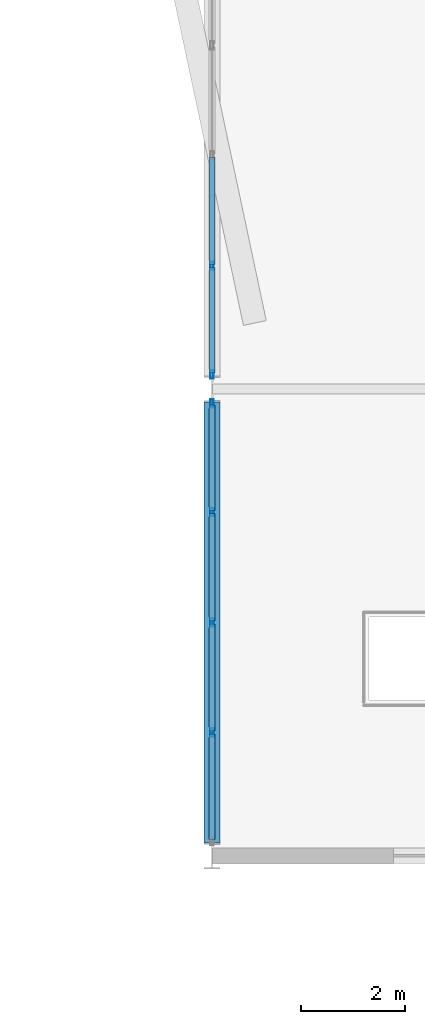
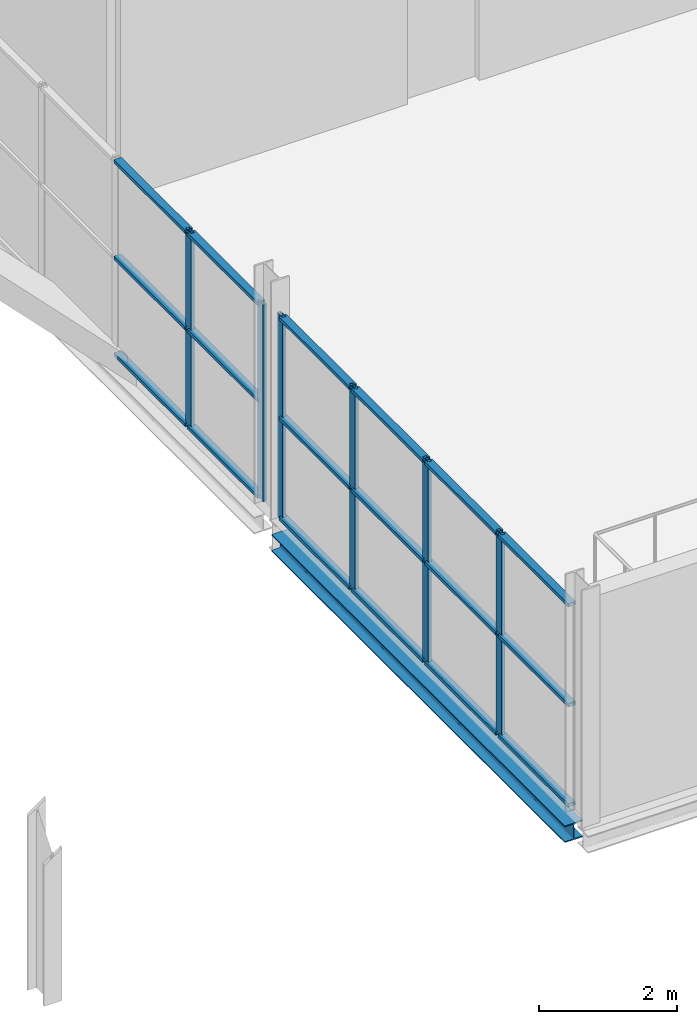
# One storey, part 60 of 140: 24 members, 1 beam, 2 elements without a shape of their own.
"""IFC4 building model written with IfcOpenShell, lengths in metres."""

import ifcopenshell
import ifcopenshell.guid

model = None  # the IFC model being written
_history = None  # IfcOwnerHistory: only IFC2X3 demands one
_inside = {}  # id of a spatial element -> (the spatial element, [elements in it])
_under = {}  # id of a project, library or spatial element -> (it, [spatial elements below it])
_declared = {}  # id of a project -> (the project, [libraries it declares])
_typed = {}  # id of a type object -> (the type object, [elements of that type])
_made_of = {}  # id of a material, layer set ... -> (it, [elements and type objects made of it])


def new_model(schema):
    """Start an empty IFC model of exactly this schema.

    Asked for "IFC4X3", IfcOpenShell would pick the latest addendum, in which some entities
    have other attributes; the version numbers below select the first issue.
    IFC2X3 requires an IfcOwnerHistory on every rooted entity: one is made here for all.
    """
    global model, _history
    if schema == "IFC4X3":
        model = ifcopenshell.file(schema_version=(4, 3, 0, 0))
    else:
        model = ifcopenshell.file(schema=schema)
    _inside.clear()
    _under.clear()
    _declared.clear()
    _typed.clear()
    _made_of.clear()
    _history = None
    if model.schema == "IFC2X3":
        org = make("IfcOrganization", Name="unknown")
        user = make(
            "IfcPersonAndOrganization",
            ThePerson=make("IfcPerson", FamilyName="unknown"),
            TheOrganization=org,
        )
        app = make(
            "IfcApplication",
            ApplicationDeveloper=org,
            Version="unknown",
            ApplicationFullName="unknown",
            ApplicationIdentifier="unknown",
        )
        _history = make(
            "IfcOwnerHistory",
            OwningUser=user,
            OwningApplication=app,
            ChangeAction="ADDED",
            CreationDate=0,
        )
    return model


def make(cls, **values):
    """One entity of the class cls with the attributes given. An attribute that is None is left unset."""
    return model.create_entity(
        cls, **{name: value for name, value in values.items() if value is not None}
    )


def rooted(cls, **values):
    """An entity with a GlobalId (a new one), such as an element, a storey or a relation."""
    return make(cls, GlobalId=ifcopenshell.guid.new(), OwnerHistory=_history, **values)


def si_unit(unit_type, name, prefix=None):
    """IfcSIUnit, for example si_unit("LENGTHUNIT", "METRE", prefix="MILLI")."""
    return make("IfcSIUnit", UnitType=unit_type, Prefix=prefix, Name=name)


def assignment(units):
    """IfcUnitAssignment: the units of a project."""
    return None if units is None else make("IfcUnitAssignment", Units=units)


def point(xyz):
    """IfcCartesianPoint."""
    return None if xyz is None else make("IfcCartesianPoint", Coordinates=xyz)


def direction(xyz):
    """IfcDirection."""
    return None if xyz is None else make("IfcDirection", DirectionRatios=xyz)


def frame(location, z_axis=None, x_axis=None):
    """IfcAxis2Placement3D, a coordinate frame: its origin and axes. An axis left out is left unset."""
    return make(
        "IfcAxis2Placement3D",
        Location=point(location),
        Axis=direction(z_axis),
        RefDirection=direction(x_axis),
    )


def frame_2d(location, x_axis=None):
    """IfcAxis2Placement2D, a coordinate frame in the plane: its origin and x axis."""
    return make(
        "IfcAxis2Placement2D", Location=point(location), RefDirection=direction(x_axis)
    )


def origin():
    """The frame at (0, 0, 0) with its axes left unset."""
    return frame((0.0, 0.0, 0.0))


def origin_2d():
    """The frame at (0, 0) in the plane with its x axis left unset."""
    return frame_2d((0.0, 0.0))


def place(relative_to, where):
    """IfcLocalPlacement: puts the frame where relative to a parent placement (None: the world)."""
    return make(
        "IfcLocalPlacement", PlacementRelTo=relative_to, RelativePlacement=where
    )


def context(
    kind, dimensions, precision=None, world=None, true_north=None, identifier=None
):
    """IfcGeometricRepresentationContext, for example the 3D "Model" context."""
    return make(
        "IfcGeometricRepresentationContext",
        ContextIdentifier=identifier,
        ContextType=kind,
        CoordinateSpaceDimension=dimensions,
        Precision=precision,
        WorldCoordinateSystem=world,
        TrueNorth=true_north,
    )


def subcontext(parent, identifier, kind, view, scale=None):
    """IfcGeometricRepresentationSubContext, for example "Body" below "Model"."""
    return make(
        "IfcGeometricRepresentationSubContext",
        ContextIdentifier=identifier,
        ContextType=kind,
        ParentContext=parent,
        TargetScale=scale,
        TargetView=view,
    )


def project(units=None, contexts=None):
    """IfcProject with its units and contexts."""
    return rooted(
        "IfcProject",
        Name="project",
        RepresentationContexts=contexts,
        UnitsInContext=assignment(units),
    )


def spatial(cls, under=None, at=None, **own):
    """A site, building, storey or space (cls), placed at a placement, below another one or the project."""
    s = rooted(cls, ObjectPlacement=at, **own)
    if under is not None:
        _under.setdefault(under.id(), (under, []))[1].append(s)
    return s


def profile(cls, at=None, kind="AREA", **sizes):
    """A parametric profile (cls). Its sizes go by their IFC names, for example OverallWidth=200.0."""
    return make(cls, ProfileType=kind, Position=at, **sizes)


def hollow_rectangle(**sizes):
    """IfcRectangleHollowProfileDef."""
    return profile("IfcRectangleHollowProfileDef", **sizes)


def i_section(**sizes):
    """IfcIShapeProfileDef."""
    return profile("IfcIShapeProfileDef", **sizes)


def extrude(swept, where, along, depth):
    """IfcExtrudedAreaSolid: the profile swept, set in the frame where, extruded along a direction by depth."""
    return make(
        "IfcExtrudedAreaSolid",
        SweptArea=swept,
        Position=where,
        ExtrudedDirection=direction(along),
        Depth=depth,
    )


def shape(context_of_items, identifier, shape_type, items):
    """IfcShapeRepresentation: the items that make up one representation, for example the "Body"."""
    return make(
        "IfcShapeRepresentation",
        ContextOfItems=context_of_items,
        RepresentationIdentifier=identifier,
        RepresentationType=shape_type,
        Items=items,
    )


def material(Name=None, Category=None):
    """IfcMaterial."""
    return make("IfcMaterial", Name=Name, Category=Category)


def layer(
    of_material, thickness, ventilated=None, Name=None, Category=None, Priority=None
):
    """IfcMaterialLayer: one layer of a wall or slab, of a material (None: an air gap)."""
    return make(
        "IfcMaterialLayer",
        Material=of_material,
        LayerThickness=thickness,
        IsVentilated=ventilated,
        Name=Name,
        Category=Category,
        Priority=Priority,
    )


def layer_set(layers, Name=None):
    """IfcMaterialLayerSet."""
    return make("IfcMaterialLayerSet", MaterialLayers=layers, LayerSetName=Name)


def material_profile(
    of_material, cross_section, Name=None, Category=None, Priority=None
):
    """IfcMaterialProfile: a cross section and its material."""
    return make(
        "IfcMaterialProfile",
        Name=Name,
        Material=of_material,
        Profile=cross_section,
        Priority=Priority,
        Category=Category,
    )


def profile_set(profiles, Name=None, composite=None):
    """IfcMaterialProfileSet."""
    return make(
        "IfcMaterialProfileSet",
        Name=Name,
        MaterialProfiles=profiles,
        CompositeProfile=composite,
    )


def made_of(thing, what):
    """Note that an element or type object is made of a material, layer set ...; save() writes the relation."""
    if what is not None:
        _made_of.setdefault(what.id(), (what, []))[1].append(thing)
    return thing


def type_object(cls, material=None, **own):
    """A type object (cls), such as IfcWallType, which elements share."""
    return made_of(rooted(cls, **own), material)


def element(
    cls,
    number,
    at=None,
    inside=None,
    cuts=None,
    type_object=None,
    material=None,
    context=None,
    identifier="Body",
    shape_type=None,
    held_by="IfcProductDefinitionShape",
    body=None,
    shapes=None,
    **own,
):
    """One element of the class cls, such as IfcWall. Its Tag is "e" and its number.

    at: its placement. inside: the storey or other place that contains it. cuts: it is an
    opening in that element (IfcRelVoidsElement). A single representation is given by context,
    identifier, shape_type and body (its items); several are given by shapes. held_by: the class
    of the entity that holds the representations. save() writes the other relations.
    """
    e = rooted(cls, Tag="e%d" % number, ObjectPlacement=at, **own)
    if body is not None:
        shapes = [shape(context, identifier, shape_type, body)]
    if shapes is not None:
        e.Representation = make(held_by, Representations=shapes)
    if inside is not None:
        _inside.setdefault(inside.id(), (inside, []))[1].append(e)
    if cuts is not None:
        rooted(
            "IfcRelVoidsElement", RelatingBuildingElement=cuts, RelatedOpeningElement=e
        )
    if type_object is not None:
        _typed.setdefault(type_object.id(), (type_object, []))[1].append(e)
    return made_of(e, material)


def aggregate(whole, parts):
    """IfcRelAggregates: a whole, such as a stair, and the parts it consists of."""
    return rooted("IfcRelAggregates", RelatingObject=whole, RelatedObjects=parts)


def save(model, path):
    """Write the relations noted so far, then the file.

    IfcRelAggregates (storeys below a building ...), IfcRelContainedInSpatialStructure (elements
    in a storey), IfcRelDefinesByType, IfcRelAssociatesMaterial and IfcRelDeclares: one each for
    every whole, place, type object, material and project.
    """
    for whole, parts in _under.values():
        aggregate(whole, parts)
    for where, things in _inside.values():
        rooted(
            "IfcRelContainedInSpatialStructure",
            RelatedElements=things,
            RelatingStructure=where,
        )
    for kind, things in _typed.values():
        rooted("IfcRelDefinesByType", RelatedObjects=things, RelatingType=kind)
    for what, things in _made_of.values():
        rooted("IfcRelAssociatesMaterial", RelatedObjects=things, RelatingMaterial=what)
    for by, libraries in _declared.values():
        rooted("IfcRelDeclares", RelatingContext=by, RelatedDefinitions=libraries)
    model.write(path)


model = new_model("IFC4")

# Units and contexts
model_context = context("Model", 3, precision=1e-05, world=origin(), true_north=direction((0.0, 1.0)))
body_context = subcontext(model_context, "Body", "Model", "MODEL_VIEW")
ifc_project = project(units=[si_unit("LENGTHUNIT", "METRE"), si_unit("AREAUNIT", "SQUARE_METRE"), si_unit("VOLUMEUNIT", "CUBIC_METRE"), si_unit("PLANEANGLEUNIT", "RADIAN"), si_unit("MASSUNIT", "GRAM", prefix="KILO")], contexts=[model_context])

# Site, building, storey
site_placement = place(None, origin())
site = spatial("IfcSite", under=ifc_project, at=site_placement, CompositionType="ELEMENT")
building_placement = place(site_placement, origin())
building = spatial("IfcBuilding", under=site, at=building_placement, Name="Deido Ridge Mobility Hub", CompositionType="ELEMENT")
storey_placement = place(building_placement, origin())
storey = spatial("IfcBuildingStorey", under=building, at=storey_placement, Name="L00", CompositionType="ELEMENT", Elevation=0.0)

# Curtain wall, members
ifc_material_1 = material(Name="Anodised aluminium EN AW-6063 T6", Category="aluminium")
ifc_layer = layer(ifc_material_1, 0.1650390625, Name="Anodised aluminium EN AW-6063 T6")
ifc_layer_set = layer_set([ifc_layer], Name="Anodised aluminium EN AW-6063 T6")
curtain_wall_type = type_object("IfcCurtainWallType", Name="CW-UF-1", PredefinedType="USERDEFINED", material=ifc_layer_set)
curtain_wall_1_placement = place(storey_placement, origin())
curtain_wall_1 = element("IfcCurtainWall", 1, at=curtain_wall_1_placement, inside=storey, type_object=curtain_wall_type, Name="Unitised curtain wall CW1", ObjectType="UNITISED FACADE", PredefinedType="USERDEFINED")
ifc_material_profile_1 = material_profile(ifc_material_1, hollow_rectangle(XDim=0.06005859375, YDim=0.159912109375, WallThickness=0.00390625, at=origin_2d()), Name="RHS 60x160x4")
ifc_profile_set_1 = profile_set([ifc_material_profile_1], Name="Anodised aluminium EN AW-6063 T6")
member_type_1 = type_object("IfcMemberType", Name="MEM-MUL-60X160", PredefinedType="MULLION", material=ifc_profile_set_1)
member_1_placement = place(storey_placement, frame((72.0, 47.375, 0.0), z_axis=(0.0, 0.0, 1.0), x_axis=(-1.0, 0.0, 0.0)))
member_1 = element("IfcMember", 2, at=member_1_placement, type_object=member_type_1, Name="CW1 mullion 2", PredefinedType="MULLION", context=body_context, shape_type="SweptSolid", body=[
    extrude(hollow_rectangle(XDim=0.06005859375, YDim=0.159912109375, WallThickness=0.00390625, at=origin_2d()), origin(), (0.0, 0.0, 1.0), 3.60009765625),
])
member_2_placement = place(storey_placement, frame((72.0, 49.5, 0.0), z_axis=(0.0, 0.0, 1.0), x_axis=(-1.0, 0.0, 0.0)))
member_2 = element("IfcMember", 3, at=member_2_placement, type_object=member_type_1, Name="CW1 mullion 3", PredefinedType="MULLION", context=body_context, shape_type="SweptSolid", body=[
    extrude(hollow_rectangle(XDim=0.06005859375, YDim=0.159912109375, WallThickness=0.00390625, at=origin_2d()), origin(), (0.0, 0.0, 1.0), 3.60009765625),
])
member_3_placement = place(storey_placement, frame((72.0, 51.625, 0.0), z_axis=(0.0, 0.0, 1.0), x_axis=(-1.0, 0.0, 0.0)))
member_3 = element("IfcMember", 4, at=member_3_placement, type_object=member_type_1, Name="CW1 mullion 4", PredefinedType="MULLION", context=body_context, shape_type="SweptSolid", body=[
    extrude(hollow_rectangle(XDim=0.06005859375, YDim=0.159912109375, WallThickness=0.00390625, at=origin_2d()), origin(), (0.0, 0.0, 1.0), 3.60009765625),
])
member_4_placement = place(storey_placement, frame((72.0, 53.719970703125, 0.0), z_axis=(0.0, 0.0, 1.0), x_axis=(-1.0, 0.0, 0.0)))
member_4 = element("IfcMember", 5, at=member_4_placement, type_object=member_type_1, Name="CW1 mullion 5", PredefinedType="MULLION", context=body_context, shape_type="SweptSolid", body=[
    extrude(hollow_rectangle(XDim=0.06005859375, YDim=0.159912109375, WallThickness=0.00390625, at=origin_2d()), origin(), (0.0, 0.0, 1.0), 3.60009765625),
])

curtain_wall_2_placement = place(storey_placement, origin())
curtain_wall_2 = element("IfcCurtainWall", 6, at=curtain_wall_2_placement, inside=storey, type_object=curtain_wall_type, Name="Unitised curtain wall CW1", ObjectType="UNITISED FACADE", PredefinedType="USERDEFINED")
member_5_placement = place(storey_placement, frame((72.0, 54.280029296875, 0.0), z_axis=(0.0, 0.0, 1.0), x_axis=(-1.0, 0.0, 0.0)))
member_5 = element("IfcMember", 7, at=member_5_placement, type_object=member_type_1, Name="CW1 mullion 1", PredefinedType="MULLION", context=body_context, shape_type="SweptSolid", body=[
    extrude(hollow_rectangle(XDim=0.06005859375, YDim=0.159912109375, WallThickness=0.00390625, at=origin_2d()), origin(), (0.0, 0.0, 1.0), 3.47509765625),
])
member_6_placement = place(storey_placement, frame((72.0, 56.375, 0.0), z_axis=(0.0, 0.0, 1.0), x_axis=(-1.0, 0.0, 0.0)))
member_6 = element("IfcMember", 8, at=member_6_placement, type_object=member_type_1, Name="CW1 mullion 2", PredefinedType="MULLION", context=body_context, shape_type="SweptSolid", body=[
    extrude(hollow_rectangle(XDim=0.06005859375, YDim=0.159912109375, WallThickness=0.00390625, at=origin_2d()), origin(), (0.0, 0.0, 1.0), 3.47509765625),
])

# Member
ifc_material_profile_2 = material_profile(ifc_material_1, hollow_rectangle(XDim=0.125, YDim=0.06005859375, WallThickness=0.00390625, at=origin_2d()), Name="RHS 125x60x4")
ifc_profile_set_2 = profile_set([ifc_material_profile_2], Name="Anodised aluminium EN AW-6063 T6")
member_type_2 = type_object("IfcMemberType", Name="MEM-TRN-125X60", PredefinedType="USERDEFINED", material=ifc_profile_set_2)
member_7_placement = place(storey_placement, frame((72.0, 45.31005859375, 0.030029296875), z_axis=(0.0, 1.0, 0.0), x_axis=(-1.0, 0.0, 0.0)))
member_7 = element("IfcMember", 9, at=member_7_placement, type_object=member_type_2, Name="CW1 transom 1.1", ObjectType="TRANSOM", PredefinedType="USERDEFINED", context=body_context, shape_type="SweptSolid", body=[
    extrude(hollow_rectangle(XDim=0.125, YDim=0.06005859375, WallThickness=0.00390625, at=origin_2d()), origin(), (0.0, 0.0, 1.0), 2.034912109375),
])

member_8_placement = place(storey_placement, frame((72.0, 45.31005859375, 1.800048828125), z_axis=(0.0, 1.0, 0.0), x_axis=(-1.0, 0.0, 0.0)))
member_8 = element("IfcMember", 10, at=member_8_placement, type_object=member_type_2, Name="CW1 transom 1.2", ObjectType="TRANSOM", PredefinedType="USERDEFINED", context=body_context, shape_type="SweptSolid", body=[
    extrude(hollow_rectangle(XDim=0.125, YDim=0.06005859375, WallThickness=0.00390625, at=origin_2d()), origin(), (0.0, 0.0, 1.0), 2.034912109375),
])

member_9_placement = place(storey_placement, frame((72.0, 45.31005859375, 3.570068359375), z_axis=(0.0, 1.0, 0.0), x_axis=(-1.0, 0.0, 0.0)))
member_9 = element("IfcMember", 11, at=member_9_placement, type_object=member_type_2, Name="CW1 transom 1.3", ObjectType="TRANSOM", PredefinedType="USERDEFINED", context=body_context, shape_type="SweptSolid", body=[
    extrude(hollow_rectangle(XDim=0.125, YDim=0.06005859375, WallThickness=0.00390625, at=origin_2d()), origin(), (0.0, 0.0, 1.0), 2.034912109375),
])

member_10_placement = place(storey_placement, frame((72.0, 47.405029296875, 0.030029296875), z_axis=(0.0, 1.0, 0.0), x_axis=(-1.0, 0.0, 0.0)))
member_10 = element("IfcMember", 12, at=member_10_placement, type_object=member_type_2, Name="CW1 transom 2.1", ObjectType="TRANSOM", PredefinedType="USERDEFINED", context=body_context, shape_type="SweptSolid", body=[
    extrude(hollow_rectangle(XDim=0.125, YDim=0.06005859375, WallThickness=0.00390625, at=origin_2d()), origin(), (0.0, 0.0, 1.0), 2.06494140625),
])

member_11_placement = place(storey_placement, frame((72.0, 47.405029296875, 1.800048828125), z_axis=(0.0, 1.0, 0.0), x_axis=(-1.0, 0.0, 0.0)))
member_11 = element("IfcMember", 13, at=member_11_placement, type_object=member_type_2, Name="CW1 transom 2.2", ObjectType="TRANSOM", PredefinedType="USERDEFINED", context=body_context, shape_type="SweptSolid", body=[
    extrude(hollow_rectangle(XDim=0.125, YDim=0.06005859375, WallThickness=0.00390625, at=origin_2d()), origin(), (0.0, 0.0, 1.0), 2.06494140625),
])

member_12_placement = place(storey_placement, frame((72.0, 47.405029296875, 3.570068359375), z_axis=(0.0, 1.0, 0.0), x_axis=(-1.0, 0.0, 0.0)))
member_12 = element("IfcMember", 14, at=member_12_placement, type_object=member_type_2, Name="CW1 transom 2.3", ObjectType="TRANSOM", PredefinedType="USERDEFINED", context=body_context, shape_type="SweptSolid", body=[
    extrude(hollow_rectangle(XDim=0.125, YDim=0.06005859375, WallThickness=0.00390625, at=origin_2d()), origin(), (0.0, 0.0, 1.0), 2.06494140625),
])

member_13_placement = place(storey_placement, frame((72.0, 49.530029296875, 0.030029296875), z_axis=(0.0, 1.0, 0.0), x_axis=(-1.0, 0.0, 0.0)))
member_13 = element("IfcMember", 15, at=member_13_placement, type_object=member_type_2, Name="CW1 transom 3.1", ObjectType="TRANSOM", PredefinedType="USERDEFINED", context=body_context, shape_type="SweptSolid", body=[
    extrude(hollow_rectangle(XDim=0.125, YDim=0.06005859375, WallThickness=0.00390625, at=origin_2d()), origin(), (0.0, 0.0, 1.0), 2.06494140625),
])

member_14_placement = place(storey_placement, frame((72.0, 49.530029296875, 1.800048828125), z_axis=(0.0, 1.0, 0.0), x_axis=(-1.0, 0.0, 0.0)))
member_14 = element("IfcMember", 16, at=member_14_placement, type_object=member_type_2, Name="CW1 transom 3.2", ObjectType="TRANSOM", PredefinedType="USERDEFINED", context=body_context, shape_type="SweptSolid", body=[
    extrude(hollow_rectangle(XDim=0.125, YDim=0.06005859375, WallThickness=0.00390625, at=origin_2d()), origin(), (0.0, 0.0, 1.0), 2.06494140625),
])

member_15_placement = place(storey_placement, frame((72.0, 49.530029296875, 3.570068359375), z_axis=(0.0, 1.0, 0.0), x_axis=(-1.0, 0.0, 0.0)))
member_15 = element("IfcMember", 17, at=member_15_placement, type_object=member_type_2, Name="CW1 transom 3.3", ObjectType="TRANSOM", PredefinedType="USERDEFINED", context=body_context, shape_type="SweptSolid", body=[
    extrude(hollow_rectangle(XDim=0.125, YDim=0.06005859375, WallThickness=0.00390625, at=origin_2d()), origin(), (0.0, 0.0, 1.0), 2.06494140625),
])

member_16_placement = place(storey_placement, frame((72.0, 51.655029296875, 0.030029296875), z_axis=(0.0, 1.0, 0.0), x_axis=(-1.0, 0.0, 0.0)))
member_16 = element("IfcMember", 18, at=member_16_placement, type_object=member_type_2, Name="CW1 transom 4.1", ObjectType="TRANSOM", PredefinedType="USERDEFINED", context=body_context, shape_type="SweptSolid", body=[
    extrude(hollow_rectangle(XDim=0.125, YDim=0.06005859375, WallThickness=0.00390625, at=origin_2d()), origin(), (0.0, 0.0, 1.0), 2.034912109375),
])

member_17_placement = place(storey_placement, frame((72.0, 51.655029296875, 1.800048828125), z_axis=(0.0, 1.0, 0.0), x_axis=(-1.0, 0.0, 0.0)))
member_17 = element("IfcMember", 19, at=member_17_placement, type_object=member_type_2, Name="CW1 transom 4.2", ObjectType="TRANSOM", PredefinedType="USERDEFINED", context=body_context, shape_type="SweptSolid", body=[
    extrude(hollow_rectangle(XDim=0.125, YDim=0.06005859375, WallThickness=0.00390625, at=origin_2d()), origin(), (0.0, 0.0, 1.0), 2.034912109375),
])

member_18_placement = place(storey_placement, frame((72.0, 51.655029296875, 3.570068359375), z_axis=(0.0, 1.0, 0.0), x_axis=(-1.0, 0.0, 0.0)))
member_18 = element("IfcMember", 20, at=member_18_placement, type_object=member_type_2, Name="CW1 transom 4.3", ObjectType="TRANSOM", PredefinedType="USERDEFINED", context=body_context, shape_type="SweptSolid", body=[
    extrude(hollow_rectangle(XDim=0.125, YDim=0.06005859375, WallThickness=0.00390625, at=origin_2d()), origin(), (0.0, 0.0, 1.0), 2.034912109375),
])

aggregate(curtain_wall_1, [member_1, member_2, member_3, member_4, member_7, member_8, member_9, member_10, member_11, member_12, member_13, member_14, member_15, member_16, member_17, member_18])

member_19_placement = place(storey_placement, frame((72.0, 54.31005859375, 0.030029296875), z_axis=(0.0, 1.0, 0.0), x_axis=(-1.0, 0.0, 0.0)))
member_19 = element("IfcMember", 21, at=member_19_placement, type_object=member_type_2, Name="CW1 transom 1.1", ObjectType="TRANSOM", PredefinedType="USERDEFINED", context=body_context, shape_type="SweptSolid", body=[
    extrude(hollow_rectangle(XDim=0.125, YDim=0.06005859375, WallThickness=0.00390625, at=origin_2d()), origin(), (0.0, 0.0, 1.0), 2.034912109375),
])

member_20_placement = place(storey_placement, frame((72.0, 54.31005859375, 1.737548828125), z_axis=(0.0, 1.0, 0.0), x_axis=(-1.0, 0.0, 0.0)))
member_20 = element("IfcMember", 22, at=member_20_placement, type_object=member_type_2, Name="CW1 transom 1.2", ObjectType="TRANSOM", PredefinedType="USERDEFINED", context=body_context, shape_type="SweptSolid", body=[
    extrude(hollow_rectangle(XDim=0.125, YDim=0.06005859375, WallThickness=0.00390625, at=origin_2d()), origin(), (0.0, 0.0, 1.0), 2.034912109375),
])

member_21_placement = place(storey_placement, frame((72.0, 54.31005859375, 3.445068359375), z_axis=(0.0, 1.0, 0.0), x_axis=(-1.0, 0.0, 0.0)))
member_21 = element("IfcMember", 23, at=member_21_placement, type_object=member_type_2, Name="CW1 transom 1.3", ObjectType="TRANSOM", PredefinedType="USERDEFINED", context=body_context, shape_type="SweptSolid", body=[
    extrude(hollow_rectangle(XDim=0.125, YDim=0.06005859375, WallThickness=0.00390625, at=origin_2d()), origin(), (0.0, 0.0, 1.0), 2.034912109375),
])

member_22_placement = place(storey_placement, frame((72.0, 56.405029296875, 0.030029296875), z_axis=(0.0, 1.0, 0.0), x_axis=(-1.0, 0.0, 0.0)))
member_22 = element("IfcMember", 24, at=member_22_placement, type_object=member_type_2, Name="CW1 transom 2.1", ObjectType="TRANSOM", PredefinedType="USERDEFINED", context=body_context, shape_type="SweptSolid", body=[
    extrude(hollow_rectangle(XDim=0.125, YDim=0.06005859375, WallThickness=0.00390625, at=origin_2d()), origin(), (0.0, 0.0, 1.0), 2.06494140625),
])

member_23_placement = place(storey_placement, frame((72.0, 56.405029296875, 1.737548828125), z_axis=(0.0, 1.0, 0.0), x_axis=(-1.0, 0.0, 0.0)))
member_23 = element("IfcMember", 25, at=member_23_placement, type_object=member_type_2, Name="CW1 transom 2.2", ObjectType="TRANSOM", PredefinedType="USERDEFINED", context=body_context, shape_type="SweptSolid", body=[
    extrude(hollow_rectangle(XDim=0.125, YDim=0.06005859375, WallThickness=0.00390625, at=origin_2d()), origin(), (0.0, 0.0, 1.0), 2.06494140625),
])

member_24_placement = place(storey_placement, frame((72.0, 56.405029296875, 3.445068359375), z_axis=(0.0, 1.0, 0.0), x_axis=(-1.0, 0.0, 0.0)))
member_24 = element("IfcMember", 26, at=member_24_placement, type_object=member_type_2, Name="CW1 transom 2.3", ObjectType="TRANSOM", PredefinedType="USERDEFINED", context=body_context, shape_type="SweptSolid", body=[
    extrude(hollow_rectangle(XDim=0.125, YDim=0.06005859375, WallThickness=0.00390625, at=origin_2d()), origin(), (0.0, 0.0, 1.0), 2.06494140625),
])

aggregate(curtain_wall_2, [member_5, member_6, member_19, member_20, member_21, member_22, member_23, member_24])

# Beam
ifc_material_2 = material(Name="Steel S355J2 EN 10025-2", Category="steel")
ifc_material_profile_3 = material_profile(ifc_material_2, i_section(OverallWidth=0.300048828125, OverallDepth=0.300048828125, WebThickness=0.010986328125, FlangeThickness=0.01904296875, FilletRadius=0.027099609375, at=origin_2d()), Name="HEB 300")
ifc_profile_set_3 = profile_set([ifc_material_profile_3], Name="Steel S355J2 EN 10025-2")
beam_type = type_object("IfcBeamType", Name="SPD-HEB300", PredefinedType="SPANDREL", material=ifc_profile_set_3)
beam_placement = place(storey_placement, frame((72.0, 45.25, -0.409912109375), z_axis=(0.0, 1.0, 0.0), x_axis=(-1.0, 0.0, 0.0)))
element("IfcBeam", 27, at=beam_placement, inside=storey, type_object=beam_type, Name="Floor beam SP1", PredefinedType="SPANDREL", context=body_context, shape_type="SweptSolid", body=[
    extrude(i_section(OverallWidth=0.300048828125, OverallDepth=0.300048828125, WebThickness=0.010986328125, FlangeThickness=0.01904296875, FilletRadius=0.027099609375, at=origin_2d()), origin(), (0.0, 0.0, 1.0), 8.5),
])

save(model, "model.ifc")
